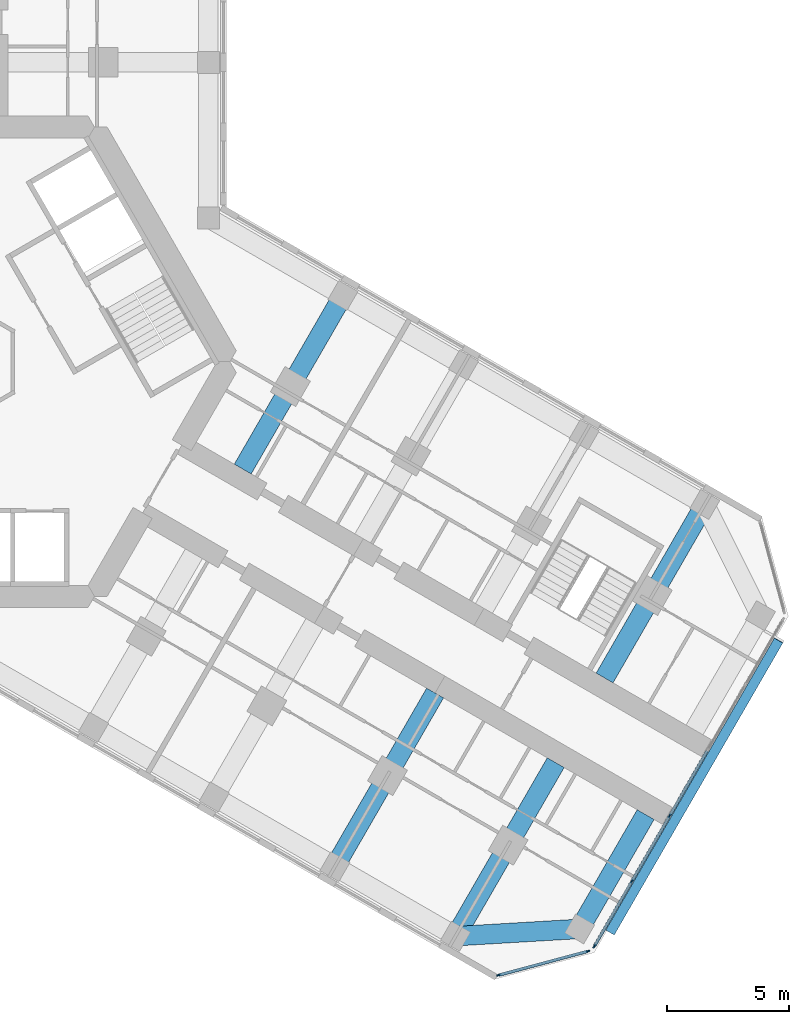
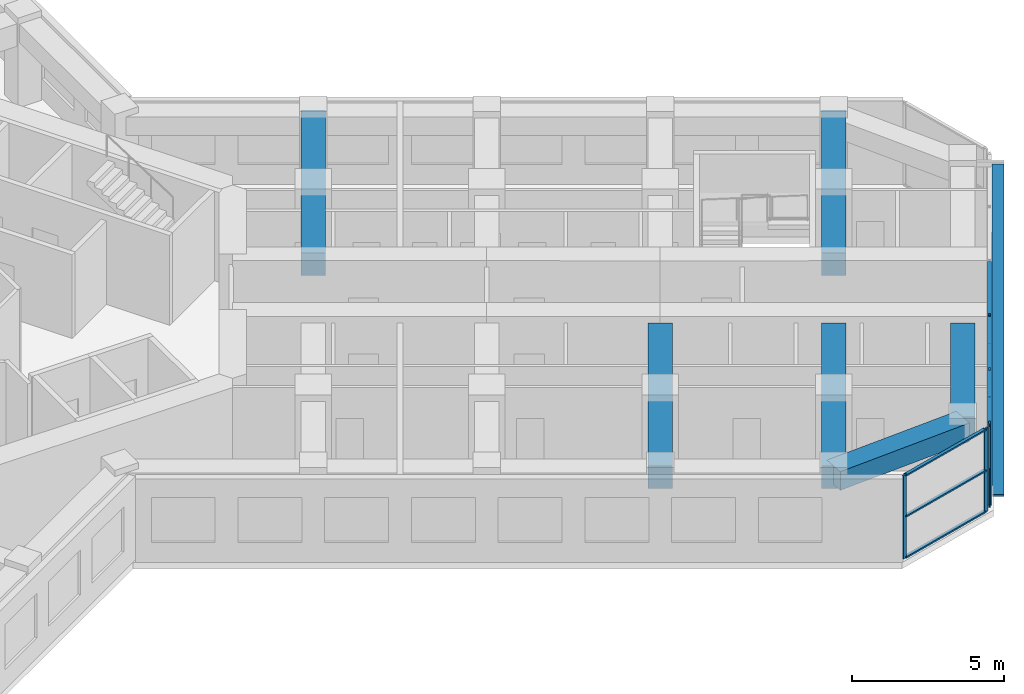
# One storey, part 5 of 19: 15 members, 6 beams, 2 elements without a shape of their own.
"""IFC4 building model written with IfcOpenShell, lengths in metres."""

from ifc_helpers import new_model, si_unit, direction, frame, origin, origin_2d, place, context, subcontext, project, spatial, rectangle, extrude, material, material_profile, profile_set, type_object, element, aggregate, save


model = new_model("IFC4")

# Units and contexts
model_context = context("Model", 3, precision=1e-05, world=origin(), true_north=direction((0.0, 1.0)))
body_context = subcontext(model_context, "Body", "Model", "MODEL_VIEW")
ifc_project = project(units=[si_unit("LENGTHUNIT", "METRE"), si_unit("AREAUNIT", "SQUARE_METRE"), si_unit("VOLUMEUNIT", "CUBIC_METRE"), si_unit("PLANEANGLEUNIT", "RADIAN"), si_unit("MASSUNIT", "GRAM", prefix="KILO")], contexts=[model_context])

# Site, building, storey
site_placement = place(None, origin())
site = spatial("IfcSite", under=ifc_project, at=site_placement, CompositionType="ELEMENT")
building_placement = place(site_placement, origin())
building = spatial("IfcBuilding", under=site, at=building_placement, Name="Kosmar Iwan School Tower", CompositionType="ELEMENT")
storey_placement = place(building_placement, frame((0.0, 0.0, 145.39990234375)))
storey = spatial("IfcBuildingStorey", under=building, at=storey_placement, Name="L36", CompositionType="ELEMENT", Elevation=145.39990234375)

# Member
ifc_material_1 = material(Name="Black anodised aluminium", Category="aluminium")
ifc_material_profile_1 = material_profile(ifc_material_1, rectangle(XDim=0.10009765625, YDim=0.39990234375, at=origin_2d()), Name="FIN 100x400")
ifc_profile_set_1 = profile_set([ifc_material_profile_1], Name="Black anodised aluminium")
member_type_1 = type_object("IfcMemberType", Name="Diagonal fin 100x400", PredefinedType="USERDEFINED", material=ifc_profile_set_1)
member_1_placement = place(storey_placement, frame((26.645263671875, -23.34912109375, -0.14990234375), z_axis=(0.483793446988, 0.837970316603, 0.25248692866), x_axis=(-0.126241714543, -0.218661104574, 0.96760030532)))
element("IfcMember", 1, at=member_1_placement, inside=storey, type_object=member_type_1, Name="Diagonal fin L36-F03", ObjectType="FIN", PredefinedType="USERDEFINED", context=body_context, shape_type="SweptSolid", body=[
    extrude(rectangle(XDim=0.10009765625, YDim=0.39990234375, at=origin_2d()), origin(), (0.0, 0.0, 1.0), 14.258544921875),
])

# Curtain wall, members
ifc_material_2 = material(Name="Dark glass in black aluminium frame", Category="aluminium")
curtain_wall_type_1 = type_object("IfcCurtainWallType", Name="Chamfer curtain wall dark glass", PredefinedType="USERDEFINED", material=ifc_material_2)
curtain_wall_1_placement = place(storey_placement, origin())
curtain_wall_1 = element("IfcCurtainWall", 2, at=curtain_wall_1_placement, inside=storey, type_object=curtain_wall_type_1, Name="Curtain wall L36-F02", ObjectType="FACETED CURTAIN WALL", PredefinedType="USERDEFINED")
ifc_material_3 = material(Name="Black anodised aluminium", Category="aluminium")
ifc_material_profile_2 = material_profile(ifc_material_3, rectangle(XDim=0.06005859375, YDim=0.159912109375, at=origin_2d()), Name="MULLION 60x160")
ifc_profile_set_2 = profile_set([ifc_material_profile_2], Name="Black anodised aluminium")
member_type_2 = type_object("IfcMemberType", Name="Mullion 60x160", PredefinedType="MULLION", material=ifc_profile_set_2)
member_2_placement = place(storey_placement, frame((22.0830078125, -25.102294921875, 0.0), z_axis=(0.0, 0.0, 1.0), x_axis=(-0.258818861462, 0.965925875495, 0.0)))
member_2 = element("IfcMember", 3, at=member_2_placement, type_object=member_type_2, Name="CW2 mullion 1", PredefinedType="MULLION", context=body_context, shape_type="SweptSolid", body=[
    extrude(rectangle(XDim=0.06005859375, YDim=0.159912109375, at=origin_2d()), origin(), (0.0, 0.0, 1.0), 3.35009765625),
])
member_3_placement = place(storey_placement, frame((25.733154296875, -24.124267578125, 0.0), z_axis=(0.0, 0.0, 1.0), x_axis=(-0.258818861462, 0.965925875495, 0.0)))
member_3 = element("IfcMember", 4, at=member_3_placement, type_object=member_type_2, Name="CW2 mullion 2", PredefinedType="MULLION", context=body_context, shape_type="SweptSolid", body=[
    extrude(rectangle(XDim=0.06005859375, YDim=0.159912109375, at=origin_2d()), origin(), (0.0, 0.0, 1.0), 3.35009765625),
])

ifc_material_4 = material(Name="Dark glass in black aluminium frame", Category="aluminium")
curtain_wall_type_2 = type_object("IfcCurtainWallType", Name="Tower curtain wall dark glass", PredefinedType="USERDEFINED", material=ifc_material_4)
curtain_wall_2_placement = place(storey_placement, origin())
curtain_wall_2 = element("IfcCurtainWall", 5, at=curtain_wall_2_placement, inside=storey, type_object=curtain_wall_type_2, Name="Curtain wall L36-F03", ObjectType="UNITISED CURTAIN WALL", PredefinedType="USERDEFINED")
member_4_placement = place(storey_placement, frame((25.9970703125, -23.921630859375, 0.0), z_axis=(0.0, 0.0, 1.0), x_axis=(-0.866025405329, 0.499999997325, 0.0)))
member_4 = element("IfcMember", 6, at=member_4_placement, type_object=member_type_2, Name="CW1 mullion 1", PredefinedType="MULLION", context=body_context, shape_type="SweptSolid", body=[
    extrude(rectangle(XDim=0.06005859375, YDim=0.159912109375, at=origin_2d()), origin(), (0.0, 0.0, 1.0), 3.35009765625),
])
member_5_placement = place(storey_placement, frame((27.53173828125, -21.263671875, 0.0), z_axis=(0.0, 0.0, 1.0), x_axis=(-0.866025405329, 0.499999997325, 0.0)))
member_5 = element("IfcMember", 7, at=member_5_placement, type_object=member_type_2, Name="CW1 mullion 2", PredefinedType="MULLION", context=body_context, shape_type="SweptSolid", body=[
    extrude(rectangle(XDim=0.06005859375, YDim=0.159912109375, at=origin_2d()), origin(), (0.0, 0.0, 1.0), 3.35009765625),
])
member_6_placement = place(storey_placement, frame((29.081298828125, -18.57958984375, 0.0), z_axis=(0.0, 0.0, 1.0), x_axis=(-0.866025405329, 0.499999997325, 0.0)))
member_6 = element("IfcMember", 8, at=member_6_placement, type_object=member_type_2, Name="CW1 mullion 3", PredefinedType="MULLION", context=body_context, shape_type="SweptSolid", body=[
    extrude(rectangle(XDim=0.06005859375, YDim=0.159912109375, at=origin_2d()), origin(), (0.0, 0.0, 1.0), 3.35009765625),
])

# Beams
ifc_material_5 = material(Name="Concrete C50/60", Category="concrete")
ifc_material_profile_3 = material_profile(ifc_material_5, rectangle(XDim=0.800048828125, YDim=0.75, at=origin_2d()), Name="RC 800x750")
ifc_profile_set_3 = profile_set([ifc_material_profile_3], Name="Concrete C50/60")
beam_type_1 = type_object("IfcBeamType", Name="RC tip beam 800x750", PredefinedType="BEAM", material=ifc_profile_set_3)
beam_1_placement = place(storey_placement, frame((20.31787109375, -23.508544921875, 2.97509765625), z_axis=(0.998260616478, 0.058955420358, 0.0), x_axis=(-0.058955420358, 0.998260616478, 0.0)))
element("IfcBeam", 9, at=beam_1_placement, inside=storey, type_object=beam_type_1, Name="Tip beam CR", PredefinedType="BEAM", context=body_context, shape_type="SweptSolid", body=[
    extrude(rectangle(XDim=0.800048828125, YDim=0.75, at=origin_2d()), origin(), (0.0, 0.0, 1.0), 5.08935546875),
])
beam_2_placement = place(storey_placement, frame((25.3984375, -23.20849609375, 2.97509765625), z_axis=(0.499995103361, 0.866028230842, 0.0), x_axis=(-0.866028230842, 0.499995103361, 0.0)))
element("IfcBeam", 10, at=beam_2_placement, inside=storey, type_object=beam_type_1, Name="Tip beam CR to corridor wall", PredefinedType="BEAM", context=body_context, shape_type="SweptSolid", body=[
    extrude(rectangle(XDim=0.800048828125, YDim=0.75, at=origin_2d()), origin(), (0.0, 0.0, 1.0), 5.39990234375),
])
ifc_material_6 = material(Name="Concrete C50/60", Category="concrete")
ifc_material_profile_4 = material_profile(ifc_material_6, rectangle(XDim=0.800048828125, YDim=0.89990234375, at=origin_2d()), Name="RC 800x900")
ifc_profile_set_4 = profile_set([ifc_material_profile_4], Name="Concrete C50/60")
beam_type_2 = type_object("IfcBeamType", Name="RC transverse beam 800x900", PredefinedType="BEAM", material=ifc_profile_set_4)
for number, where, z_axis, x_axis, name in (
    (11, (15.708740234375, 2.70849609375, 2.900146484375), (-0.499978459874, -0.866037839625, 0.0), (0.866037839625, -0.499978459874, 0.0), "Transverse beam CL1"),
    (12, (30.517822265625, -5.841552734375, 2.900146484375), (-0.500013681986, -0.866017504342, 0.0), (0.866017504342, -0.500013681986, 0.0), "Transverse beam CL4"),
    (13, (15.381591796875, -20.658447265625, 2.900146484375), (0.49999135188, 0.866030396721, 0.0), (-0.866030396721, 0.49999135188, 0.0), "Transverse beam CR3"),
    (14, (20.31787109375, -23.508544921875, 2.900146484375), (0.499978459874, 0.866037839625, 0.0), (-0.866037839625, 0.499978459874, 0.0), "Transverse beam CR4"),
):
    element("IfcBeam", number, at=place(storey_placement, frame(where, z_axis=z_axis, x_axis=x_axis)), inside=storey, type_object=beam_type_2, Name=name, PredefinedType="BEAM", context=body_context, shape_type="SweptSolid", body=[
        extrude(rectangle(XDim=0.800048828125, YDim=0.89990234375, at=origin_2d()), origin(), (0.0, 0.0, 1.0), 8.199951171875),
    ])

# Member
ifc_material_7 = material(Name="Black anodised aluminium", Category="aluminium")
ifc_material_profile_5 = material_profile(ifc_material_7, rectangle(XDim=0.1201171875, YDim=0.06005859375, at=origin_2d()), Name="TRANSOM 60x120")
ifc_profile_set_5 = profile_set([ifc_material_profile_5], Name="Black anodised aluminium")
member_type_3 = type_object("IfcMemberType", Name="Transom 60x120", PredefinedType="USERDEFINED", material=ifc_profile_set_5)
member_7_placement = place(storey_placement, frame((22.11181640625, -25.094482421875, 0.030029296875), z_axis=(0.965923731726, 0.258826861991, 0.0), x_axis=(-0.258826861991, 0.965923731726, 0.0)))
member_7 = element("IfcMember", 15, at=member_7_placement, type_object=member_type_3, Name="CW2 transom 1.1", ObjectType="TRANSOM", PredefinedType="USERDEFINED", context=body_context, shape_type="SweptSolid", body=[
    extrude(rectangle(XDim=0.1201171875, YDim=0.06005859375, at=origin_2d()), origin(), (0.0, 0.0, 1.0), 3.71923828125),
])

member_8_placement = place(storey_placement, frame((22.11181640625, -25.094482421875, 1.675048828125), z_axis=(0.965923731726, 0.258826861991, 0.0), x_axis=(-0.258826861991, 0.965923731726, 0.0)))
member_8 = element("IfcMember", 16, at=member_8_placement, type_object=member_type_3, Name="CW2 transom 1.2", ObjectType="TRANSOM", PredefinedType="USERDEFINED", context=body_context, shape_type="SweptSolid", body=[
    extrude(rectangle(XDim=0.1201171875, YDim=0.06005859375, at=origin_2d()), origin(), (0.0, 0.0, 1.0), 3.71923828125),
])

member_9_placement = place(storey_placement, frame((22.11181640625, -25.094482421875, 3.320068359375), z_axis=(0.965923731726, 0.258826861991, 0.0), x_axis=(-0.258826861991, 0.965923731726, 0.0)))
member_9 = element("IfcMember", 17, at=member_9_placement, type_object=member_type_3, Name="CW2 transom 1.3", ObjectType="TRANSOM", PredefinedType="USERDEFINED", context=body_context, shape_type="SweptSolid", body=[
    extrude(rectangle(XDim=0.1201171875, YDim=0.06005859375, at=origin_2d()), origin(), (0.0, 0.0, 1.0), 3.71923828125),
])

aggregate(curtain_wall_1, [member_2, member_3, member_7, member_8, member_9])

member_10_placement = place(storey_placement, frame((26.01220703125, -23.895751953125, 0.030029296875), z_axis=(0.499986971506, 0.866032925658, 0.0), x_axis=(-0.866032925658, 0.499986971506, 0.0)))
member_10 = element("IfcMember", 18, at=member_10_placement, type_object=member_type_3, Name="CW1 transom 1.1", ObjectType="TRANSOM", PredefinedType="USERDEFINED", context=body_context, shape_type="SweptSolid", body=[
    extrude(rectangle(XDim=0.1201171875, YDim=0.06005859375, at=origin_2d()), origin(), (0.0, 0.0, 1.0), 3.00927734375),
])

member_11_placement = place(storey_placement, frame((26.01220703125, -23.895751953125, 3.320068359375), z_axis=(0.499986971506, 0.866032925658, 0.0), x_axis=(-0.866032925658, 0.499986971506, 0.0)))
member_11 = element("IfcMember", 19, at=member_11_placement, type_object=member_type_3, Name="CW1 transom 1.2", ObjectType="TRANSOM", PredefinedType="USERDEFINED", context=body_context, shape_type="SweptSolid", body=[
    extrude(rectangle(XDim=0.1201171875, YDim=0.06005859375, at=origin_2d()), origin(), (0.0, 0.0, 1.0), 3.00927734375),
])

member_12_placement = place(storey_placement, frame((27.546875, -21.237548828125, 0.030029296875), z_axis=(0.499975102327, 0.866039777986, 0.0), x_axis=(-0.866039777986, 0.499975102327, 0.0)))
member_12 = element("IfcMember", 20, at=member_12_placement, type_object=member_type_3, Name="CW1 transom 2.1", ObjectType="TRANSOM", PredefinedType="USERDEFINED", context=body_context, shape_type="SweptSolid", body=[
    extrude(rectangle(XDim=0.1201171875, YDim=0.06005859375, at=origin_2d()), origin(), (0.0, 0.0, 1.0), 3.039306640625),
])

member_13_placement = place(storey_placement, frame((27.546875, -21.237548828125, 3.320068359375), z_axis=(0.499975102327, 0.866039777986, 0.0), x_axis=(-0.866039777986, 0.499975102327, 0.0)))
member_13 = element("IfcMember", 21, at=member_13_placement, type_object=member_type_3, Name="CW1 transom 2.2", ObjectType="TRANSOM", PredefinedType="USERDEFINED", context=body_context, shape_type="SweptSolid", body=[
    extrude(rectangle(XDim=0.1201171875, YDim=0.06005859375, at=origin_2d()), origin(), (0.0, 0.0, 1.0), 3.039306640625),
])

member_14_placement = place(storey_placement, frame((29.096435546875, -18.553466796875, 0.030029296875), z_axis=(0.499975102327, 0.866039777986, 0.0), x_axis=(-0.866039777986, 0.499975102327, 0.0)))
member_14 = element("IfcMember", 22, at=member_14_placement, type_object=member_type_3, Name="CW1 transom 3.1", ObjectType="TRANSOM", PredefinedType="USERDEFINED", context=body_context, shape_type="SweptSolid", body=[
    extrude(rectangle(XDim=0.1201171875, YDim=0.06005859375, at=origin_2d()), origin(), (0.0, 0.0, 1.0), 3.039306640625),
])

member_15_placement = place(storey_placement, frame((29.096435546875, -18.553466796875, 3.320068359375), z_axis=(0.499975102327, 0.866039777986, 0.0), x_axis=(-0.866039777986, 0.499975102327, 0.0)))
member_15 = element("IfcMember", 23, at=member_15_placement, type_object=member_type_3, Name="CW1 transom 3.2", ObjectType="TRANSOM", PredefinedType="USERDEFINED", context=body_context, shape_type="SweptSolid", body=[
    extrude(rectangle(XDim=0.1201171875, YDim=0.06005859375, at=origin_2d()), origin(), (0.0, 0.0, 1.0), 3.039306640625),
])

aggregate(curtain_wall_2, [member_4, member_5, member_6, member_10, member_11, member_12, member_13, member_14, member_15])

save(model, "model.ifc")
